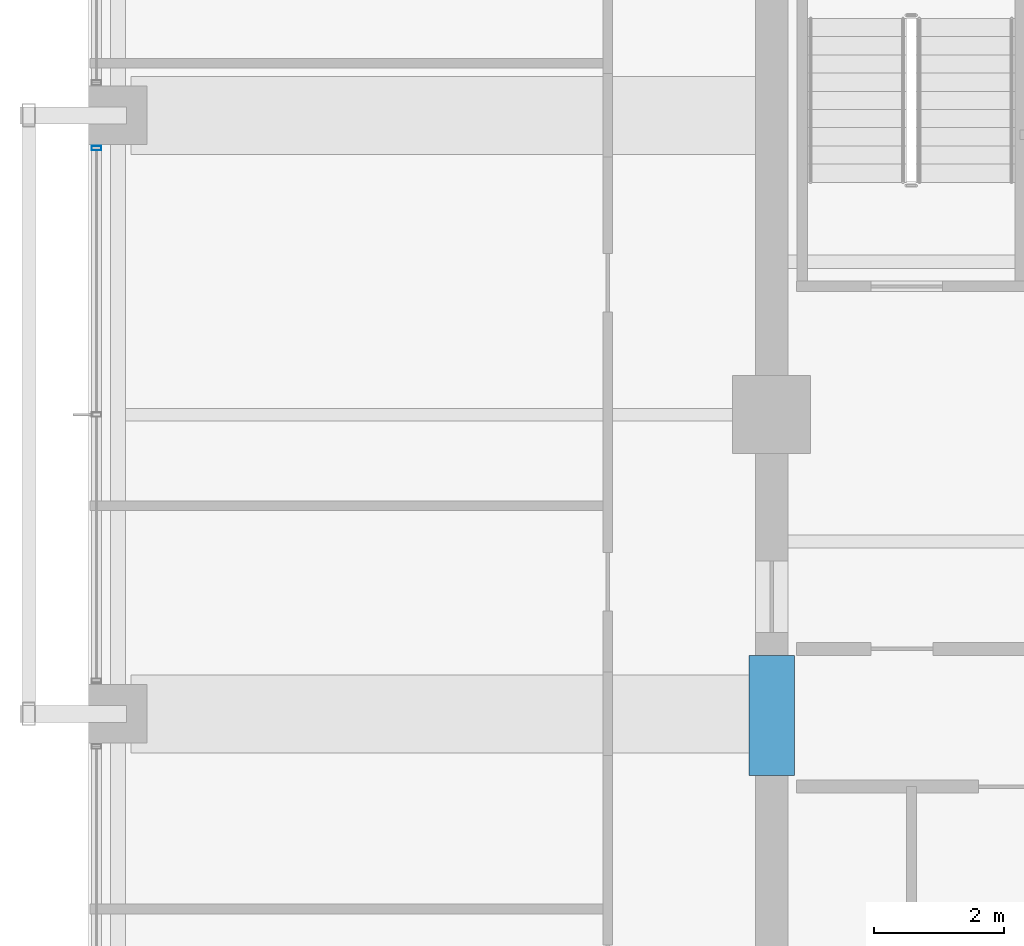
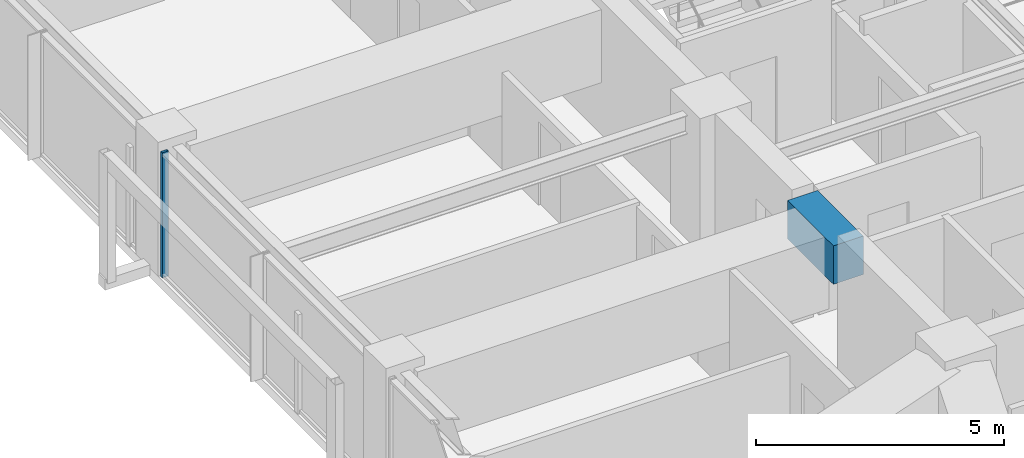
# One storey, part 9 of 37: 1 beam, 1 member, 1 element without a shape of its own.
"""IFC4 building model written with IfcOpenShell, lengths in metres."""

from ifc_helpers import new_model, si_unit, direction, frame, origin, origin_2d, place, context, subcontext, project, spatial, rectangle, hollow_rectangle, extrude, material, material_profile, profile_set, type_object, element, aggregate, save


model = new_model("IFC4")

# Units and contexts
model_context = context("Model", 3, precision=1e-05, world=origin(), true_north=direction((0.0, 1.0)))
body_context = subcontext(model_context, "Body", "Model", "MODEL_VIEW")
ifc_project = project(units=[si_unit("LENGTHUNIT", "METRE"), si_unit("AREAUNIT", "SQUARE_METRE"), si_unit("VOLUMEUNIT", "CUBIC_METRE"), si_unit("PLANEANGLEUNIT", "RADIAN"), si_unit("MASSUNIT", "GRAM", prefix="KILO")], contexts=[model_context])

# Site, building, storey
site_placement = place(None, origin())
site = spatial("IfcSite", under=ifc_project, at=site_placement, CompositionType="ELEMENT")
building_placement = place(site_placement, origin())
building = spatial("IfcBuilding", under=site, at=building_placement, Name="Kolvaren Belvedere", CompositionType="ELEMENT")
storey_placement = place(building_placement, frame((0.0, 0.0, 186.60009765625)))
storey = spatial("IfcBuildingStorey", under=building, at=storey_placement, Name="L54", CompositionType="ELEMENT", Elevation=186.60009765625)

# Beam
ifc_material_1 = material(Name="Concrete C60/75", Category="concrete")
ifc_material_profile_1 = material_profile(ifc_material_1, rectangle(XDim=0.699951171875, YDim=0.949951171875, at=origin_2d()), Name="RC 700X950")
ifc_profile_set_1 = profile_set([ifc_material_profile_1], Name="Concrete C60/75")
beam_type = type_object("IfcBeamType", Name="BM-LINT-950", PredefinedType="LINTEL", material=ifc_profile_set_1)
beam_placement = place(storey_placement, frame((-9.89990234375, -5.550048828125, 2.60498046875), z_axis=(0.0, 1.0, 0.0), x_axis=(-1.0, 0.0, 0.0)))
element("IfcBeam", 1, at=beam_placement, inside=storey, type_object=beam_type, Name="L54 West Core Coupling Lintel", PredefinedType="LINTEL", context=body_context, shape_type="SweptSolid", body=[
    extrude(rectangle(XDim=0.699951171875, YDim=0.949951171875, at=origin_2d()), origin(), (0.0, 0.0, 1.0), 1.85009765625),
])

# Curtain wall, member
ifc_material_2 = material(Name="Anodised pale-metal aluminium AA 6063-T6", Category="aluminium")
curtain_wall_type = type_object("IfcCurtainWallType", Name="CW-Z5-HIGH", PredefinedType="NOTDEFINED", material=ifc_material_2)
curtain_wall_placement = place(storey_placement, origin())
curtain_wall = element("IfcCurtainWall", 2, at=curtain_wall_placement, inside=storey, type_object=curtain_wall_type, Name="L54 Unitised Curtain Wall FCW-L54-W-B2", PredefinedType="NOTDEFINED")
ifc_material_3 = material(Name="Anodised pale-metal aluminium AA 6063-T6", Category="aluminium")
ifc_material_profile_2 = material_profile(ifc_material_3, hollow_rectangle(XDim=0.070068359375, YDim=0.14990234375, WallThickness=0.004150390625, at=origin_2d()), Name="ALU-MUL-150X70")
ifc_profile_set_2 = profile_set([ifc_material_profile_2], Name="Anodised pale-metal aluminium AA 6063-T6")
member_type = type_object("IfcMemberType", Name="CW-MUL-150", PredefinedType="MULLION", material=ifc_profile_set_2)
member_placement = place(storey_placement, frame((-20.280029296875, 4.094970703125, 0.0), z_axis=(0.0, 0.0, 1.0), x_axis=(0.0, 1.0, 0.0)))
member = element("IfcMember", 3, at=member_placement, type_object=member_type, Name="FCW-L54-W-B2 Unitised Mullion 3", PredefinedType="MULLION", context=body_context, shape_type="SweptSolid", body=[
    extrude(hollow_rectangle(XDim=0.070068359375, YDim=0.14990234375, WallThickness=0.004150390625, at=origin_2d()), origin(), (0.0, 0.0, 1.0), 3.079833984375),
])
aggregate(curtain_wall, [member])

save(model, "model.ifc")
